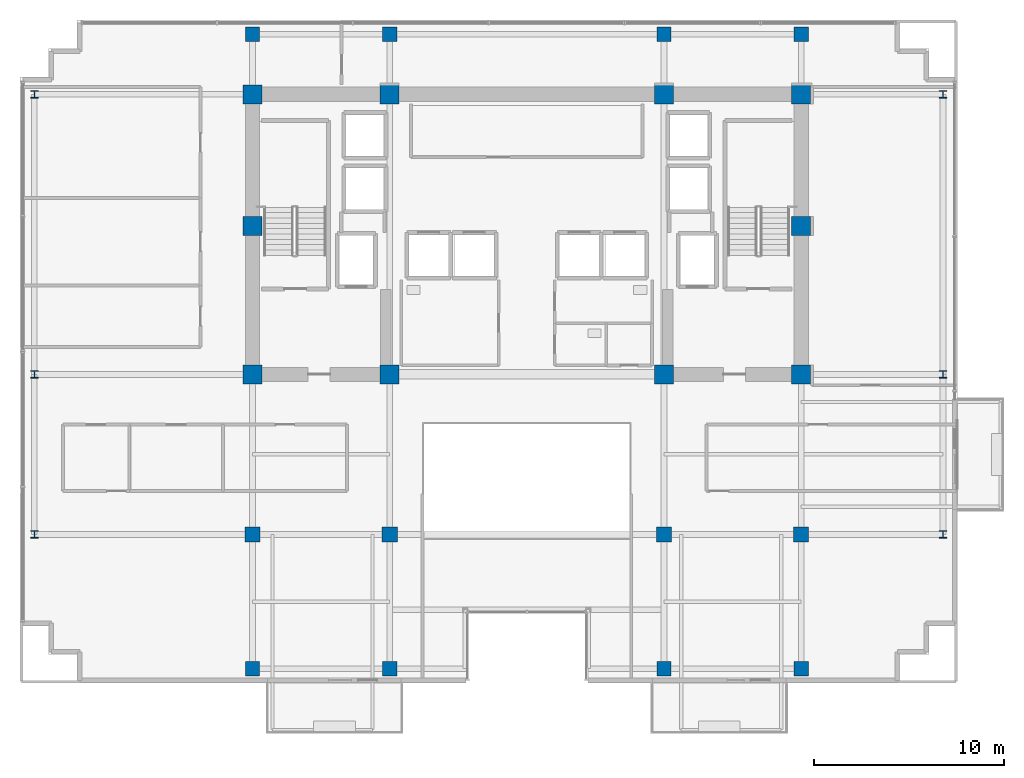
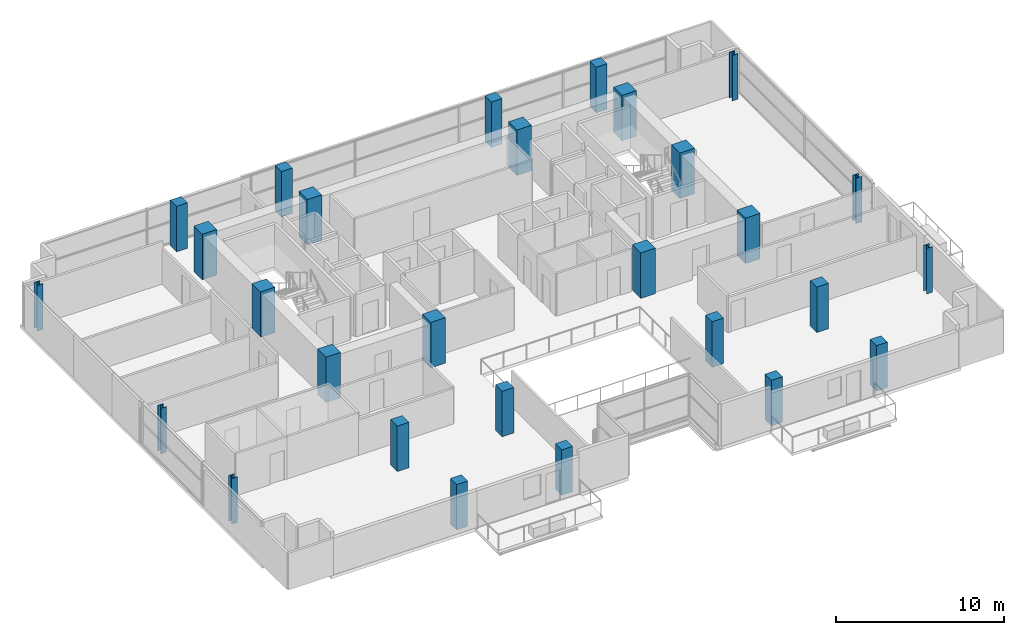
# One storey, part 1 of 25: 28 columns.
"""IFC4 building model written with IfcOpenShell, lengths in metres."""

from ifc_helpers import new_model, si_unit, direction, frame, origin, origin_2d, place, context, subcontext, project, spatial, rectangle, i_section, extrude, material, material_profile, profile_set, type_object, element, save


model = new_model("IFC4")

# Units and contexts
model_context = context("Model", 3, precision=1e-05, world=origin(), true_north=direction((0.0, 1.0)))
body_context = subcontext(model_context, "Body", "Model", "MODEL_VIEW")
ifc_project = project(units=[si_unit("LENGTHUNIT", "METRE"), si_unit("AREAUNIT", "SQUARE_METRE"), si_unit("VOLUMEUNIT", "CUBIC_METRE"), si_unit("PLANEANGLEUNIT", "RADIAN"), si_unit("MASSUNIT", "GRAM", prefix="KILO")], contexts=[model_context])

# Site, building, storey
site_placement = place(None, origin())
site = spatial("IfcSite", under=ifc_project, at=site_placement, CompositionType="ELEMENT")
building_placement = place(site_placement, origin())
building = spatial("IfcBuilding", under=site, at=building_placement, Name="Zarnakvel Exchange Tower", CompositionType="ELEMENT")
storey_placement = place(building_placement, frame((0.0, 0.0, 162.699951171875)))
storey = spatial("IfcBuildingStorey", under=building, at=storey_placement, Name="L45", CompositionType="ELEMENT", Elevation=162.699951171875)

# Columns
ifc_material_1 = material(Name="Concrete C60/75", Category="concrete")
ifc_material_profile_1 = material_profile(ifc_material_1, rectangle(XDim=1.0, YDim=1.0, at=origin_2d()))
ifc_profile_set_1 = profile_set([ifc_material_profile_1], Name="Concrete C60/75")
column_type_1 = type_object("IfcColumnType", Name="CC-02", PredefinedType="COLUMN", material=ifc_profile_set_1)
for number, where, z_axis, x_axis, name in (
    (1, (-14.39990234375, -1.199951171875, 0.0), (0.0, 0.0, 1.0), (1.0, 0.0, 0.0), "L45 Column C-4D (CC-02)"),
    (2, (-7.199951171875, -1.199951171875, 0.0), (0.0, 0.0, 1.0), (1.0, 0.0, 0.0), "L45 Column C-5D (CC-02)"),
    (3, (7.199951171875, -1.199951171875, 0.0), (0.0, 0.0, 1.0), (1.0, 0.0, 0.0), "L45 Column C-8D (CC-02)"),
    (4, (14.39990234375, -1.199951171875, 0.0), (0.0, 0.0, 1.0), (1.0, 0.0, 0.0), "L45 Column C-9D (CC-02)"),
    (5, (-14.39990234375, 6.60009765625, 0.0), (0.0, 0.0, 1.0), (1.0, 0.0, 0.0), "L45 Column C-4E (CC-02)"),
    (6, (14.39990234375, 6.60009765625, 0.0), (0.0, 0.0, 1.0), (1.0, 0.0, 0.0), "L45 Column C-9E (CC-02)"),
    (7, (-14.39990234375, 13.5, 0.0), (0.0, 0.0, 1.0), (1.0, 0.0, 0.0), "L45 Column C-4F (CC-02)"),
    (8, (-7.199951171875, 13.5, 0.0), (0.0, 0.0, 1.0), (1.0, 0.0, 0.0), "L45 Column C-5F (CC-02)"),
    (9, (7.199951171875, 13.5, 0.0), (0.0, 0.0, 1.0), (1.0, 0.0, 0.0), "L45 Column C-8F (CC-02)"),
    (10, (14.39990234375, 13.5, 0.0), (0.0, 0.0, 1.0), (1.0, 0.0, 0.0), "L45 Column C-9F (CC-02)"),
):
    element("IfcColumn", number, at=place(storey_placement, frame(where, z_axis=z_axis, x_axis=x_axis)), inside=storey, type_object=column_type_1, Name=name, PredefinedType="COLUMN", context=body_context, shape_type="SweptSolid", body=[
        extrude(rectangle(XDim=1.0, YDim=1.0, at=origin_2d()), origin(), (0.0, 0.0, 1.0), 3.300048828125),
    ])
ifc_material_2 = material(Name="Steel S355", Category="steel")
ifc_material_profile_2 = material_profile(ifc_material_2, i_section(OverallWidth=0.39892578125, OverallDepth=0.3935546875, WebThickness=0.022705078125, FlangeThickness=0.03662109375, FilletRadius=0.01513671875, at=origin_2d()))
ifc_profile_set_2 = profile_set([ifc_material_profile_2], Name="Steel S355")
column_type_2 = type_object("IfcColumnType", Name="SC-04", PredefinedType="COLUMN", material=ifc_profile_set_2)
for number, where, z_axis, x_axis, name in (
    (11, (-25.85009765625, -9.60009765625, 0.0), (0.0, 0.0, 1.0), (1.0, 0.0, 0.0), "L45 Column TW-C (SC-04)"),
    (12, (21.85009765625, -9.60009765625, 0.0), (0.0, 0.0, 1.0), (1.0, 0.0, 0.0), "L45 Column TE-C (SC-04)"),
    (13, (-25.85009765625, -1.199951171875, 0.0), (0.0, 0.0, 1.0), (1.0, 0.0, 0.0), "L45 Column TW-D (SC-04)"),
    (14, (21.85009765625, -1.199951171875, 0.0), (0.0, 0.0, 1.0), (1.0, 0.0, 0.0), "L45 Column TE-D (SC-04)"),
    (15, (-25.85009765625, 13.5, 0.0), (0.0, 0.0, 1.0), (1.0, 0.0, 0.0), "L45 Column TW-F (SC-04)"),
    (16, (21.85009765625, 13.5, 0.0), (0.0, 0.0, 1.0), (1.0, 0.0, 0.0), "L45 Column TE-F (SC-04)"),
):
    element("IfcColumn", number, at=place(storey_placement, frame(where, z_axis=z_axis, x_axis=x_axis)), inside=storey, type_object=column_type_2, Name=name, PredefinedType="COLUMN", context=body_context, shape_type="SweptSolid", body=[
        extrude(i_section(OverallWidth=0.39892578125, OverallDepth=0.3935546875, WebThickness=0.022705078125, FlangeThickness=0.03662109375, FilletRadius=0.01513671875, at=origin_2d()), origin(), (0.0, 0.0, 1.0), 3.300048828125),
    ])
ifc_material_profile_3 = material_profile(ifc_material_1, rectangle(XDim=0.800048828125, YDim=0.800048828125, at=origin_2d()))
ifc_profile_set_3 = profile_set([ifc_material_profile_3], Name="Concrete C60/75")
column_type_3 = type_object("IfcColumnType", Name="TC-03", PredefinedType="COLUMN", material=ifc_profile_set_3)
for number, where, z_axis, x_axis, name in (
    (17, (-14.39990234375, -9.60009765625, 0.0), (0.0, 0.0, 1.0), (1.0, 0.0, 0.0), "L45 Column T-4C (TC-03)"),
    (18, (-7.199951171875, -9.60009765625, 0.0), (0.0, 0.0, 1.0), (1.0, 0.0, 0.0), "L45 Column T-5C (TC-03)"),
    (19, (7.199951171875, -9.60009765625, 0.0), (0.0, 0.0, 1.0), (1.0, 0.0, 0.0), "L45 Column T-8C (TC-03)"),
    (20, (14.39990234375, -9.60009765625, 0.0), (0.0, 0.0, 1.0), (1.0, 0.0, 0.0), "L45 Column T-9C (TC-03)"),
):
    element("IfcColumn", number, at=place(storey_placement, frame(where, z_axis=z_axis, x_axis=x_axis)), inside=storey, type_object=column_type_3, Name=name, PredefinedType="COLUMN", context=body_context, shape_type="SweptSolid", body=[
        extrude(rectangle(XDim=0.800048828125, YDim=0.800048828125, at=origin_2d()), origin(), (0.0, 0.0, 1.0), 3.300048828125),
    ])
ifc_material_3 = material(Name="Concrete C50/60", Category="concrete")
ifc_material_profile_4 = material_profile(ifc_material_3, rectangle(XDim=0.75, YDim=0.75, at=origin_2d()))
ifc_profile_set_4 = profile_set([ifc_material_profile_4], Name="Concrete C50/60")
column_type_4 = type_object("IfcColumnType", Name="TC-04", PredefinedType="COLUMN", material=ifc_profile_set_4)
for number, where, z_axis, x_axis, name in (
    (21, (-14.39990234375, -16.64990234375, 0.0), (0.0, 0.0, 1.0), (1.0, 0.0, 0.0), "L45 Column TS-4 (TC-04)"),
    (22, (-14.39990234375, 16.64990234375, 0.0), (0.0, 0.0, 1.0), (1.0, 0.0, 0.0), "L45 Column TN-4 (TC-04)"),
    (23, (-7.199951171875, -16.64990234375, 0.0), (0.0, 0.0, 1.0), (1.0, 0.0, 0.0), "L45 Column TS-5 (TC-04)"),
    (24, (-7.199951171875, 16.64990234375, 0.0), (0.0, 0.0, 1.0), (1.0, 0.0, 0.0), "L45 Column TN-5 (TC-04)"),
    (25, (7.199951171875, -16.64990234375, 0.0), (0.0, 0.0, 1.0), (1.0, 0.0, 0.0), "L45 Column TS-8 (TC-04)"),
    (26, (7.199951171875, 16.64990234375, 0.0), (0.0, 0.0, 1.0), (1.0, 0.0, 0.0), "L45 Column TN-8 (TC-04)"),
    (27, (14.39990234375, -16.64990234375, 0.0), (0.0, 0.0, 1.0), (1.0, 0.0, 0.0), "L45 Column TS-9 (TC-04)"),
    (28, (14.39990234375, 16.64990234375, 0.0), (0.0, 0.0, 1.0), (1.0, 0.0, 0.0), "L45 Column TN-9 (TC-04)"),
):
    element("IfcColumn", number, at=place(storey_placement, frame(where, z_axis=z_axis, x_axis=x_axis)), inside=storey, type_object=column_type_4, Name=name, PredefinedType="COLUMN", context=body_context, shape_type="SweptSolid", body=[
        extrude(rectangle(XDim=0.75, YDim=0.75, at=origin_2d()), origin(), (0.0, 0.0, 1.0), 3.300048828125),
    ])

save(model, "model.ifc")
